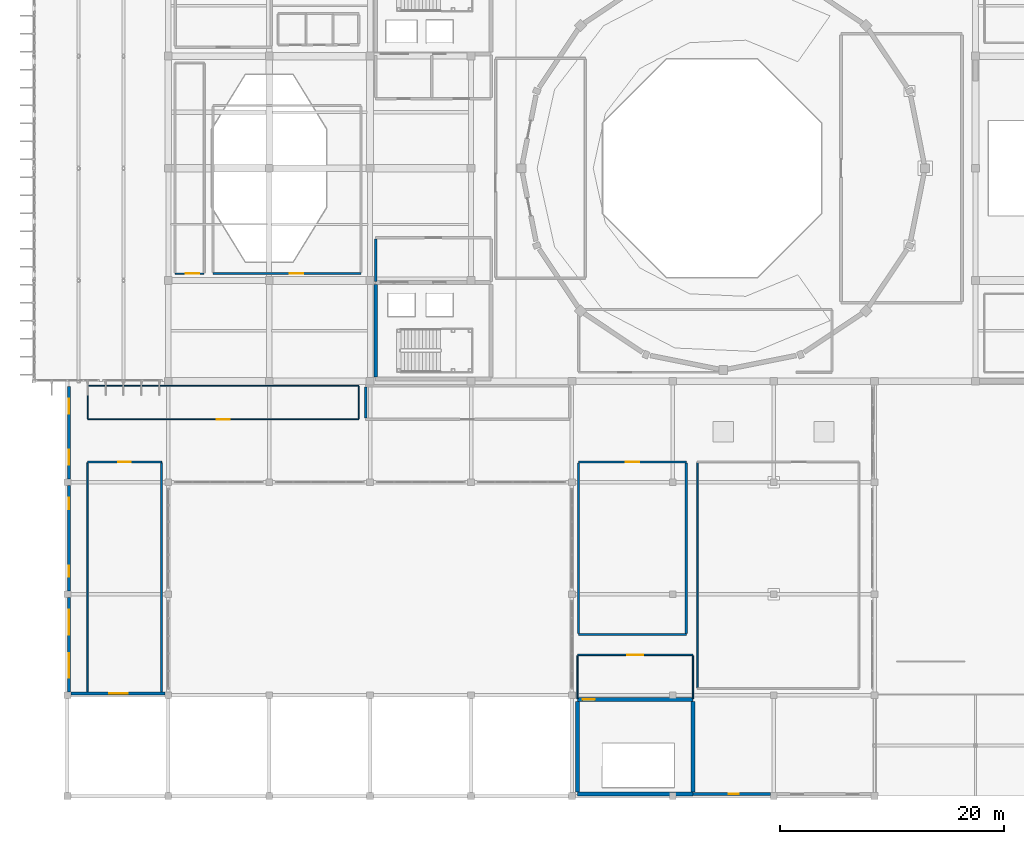
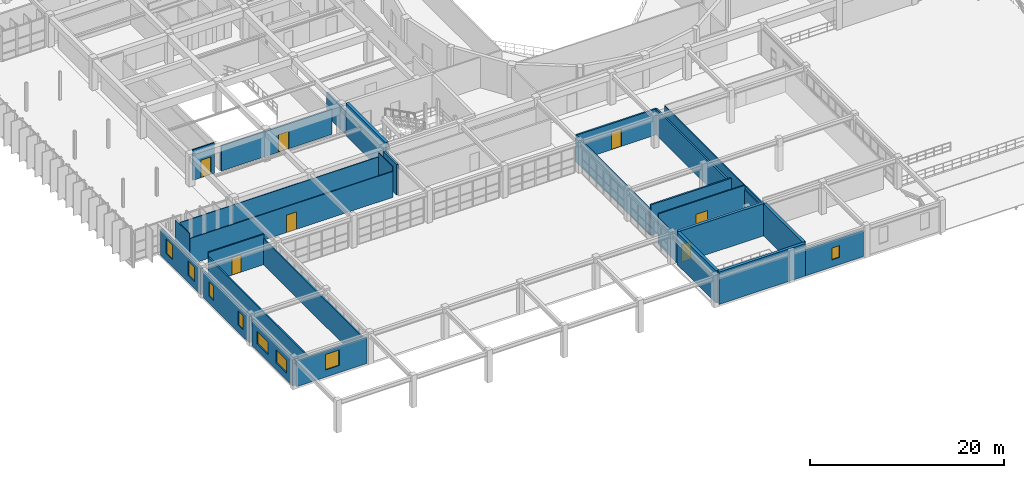
# One storey, part 93 of 110: 29 walls, 8 windows, 7 doors, 15 openings.
"""IFC4 building model written with IfcOpenShell, lengths in metres."""

from ifc_helpers import new_model, si_unit, direction, frame, frame_2d, origin, place, context, subcontext, project, spatial, rectangle, extrude, material, layer, layer_set, type_object, element, fill, save


model = new_model("IFC4")

# Units and contexts
model_context = context("Model", 3, precision=1e-05, world=origin(), true_north=direction((0.0, 1.0)))
body_context = subcontext(model_context, "Body", "Model", "MODEL_VIEW")
ifc_project = project(units=[si_unit("LENGTHUNIT", "METRE"), si_unit("AREAUNIT", "SQUARE_METRE"), si_unit("VOLUMEUNIT", "CUBIC_METRE"), si_unit("PLANEANGLEUNIT", "RADIAN"), si_unit("MASSUNIT", "GRAM", prefix="KILO")], contexts=[model_context])

# Site, building, storey
site_placement = place(None, origin())
site = spatial("IfcSite", under=ifc_project, at=site_placement, CompositionType="ELEMENT")
building_placement = place(site_placement, origin())
building = spatial("IfcBuilding", under=site, at=building_placement, Name="Miravela Opera House", CompositionType="ELEMENT")
storey_placement = place(building_placement, frame((0.0, 0.0, 13.60009765625)))
storey = spatial("IfcBuildingStorey", under=building, at=storey_placement, Name="L03", CompositionType="ELEMENT", Elevation=13.60009765625)

# Wall, opening, window
ifc_material_1 = material(Name="Insulated cream lime-stuccoed masonry", Category="masonry")
ifc_layer_1 = layer(ifc_material_1, 0.2900390625)
ifc_layer_set_1 = layer_set([ifc_layer_1])
wall_type_1 = type_object("IfcWallType", Name="ARC-EW-STUCCO-290", PredefinedType="STANDARD", material=ifc_layer_set_1)
wall_1_placement = place(storey_placement, frame((18.300048828125, 9.14990234375, 0.0), z_axis=(0.0, 0.0, 1.0), x_axis=(1.0, 0.0, 0.0)))
wall_1 = element("IfcWall", 1, at=wall_1_placement, inside=storey, type_object=wall_type_1, Name="Spanish Colonial Stucco Facade Wall L03-030", PredefinedType="STANDARD", context=body_context, shape_type="SweptSolid", body=[
    extrude(rectangle(XDim=8.39990234375, YDim=0.2900390625, at=frame_2d((4.199951171875, 0.0))), origin(), (0.0, 0.0, 1.0), 3.27685546875),
])
opening_1_placement = place(wall_1_placement, frame((3.449951171875, 0.0, 0.89990234375)))
opening_1 = element("IfcOpeningElement", 2, at=opening_1_placement, cuts=wall_1, Name="Opening W-17", PredefinedType="OPENING", context=body_context, shape_type="SweptSolid", body=[
    extrude(rectangle(XDim=1.64990234375, YDim=1.949951171875, at=frame_2d((0.824951171875, 0.97509765625))), frame((0.0, 0.155029296875, 0.0), z_axis=(0.0, -1.0, 0.0), x_axis=(1.0, 0.0, 0.0)), (0.0, 0.0, 1.0), 0.31005859375),
])
ifc_material_2 = material(Name="Bronze-anodised aluminium and acoustic low-E glass", Category="aluminium")
window_type_1 = type_object("IfcWindowType", Name="ARC-WIN-17", PartitioningType="DOUBLE_PANEL_VERTICAL", PredefinedType="WINDOW", material=ifc_material_2)
window_1_placement = place(opening_1_placement, origin())
window_1 = element("IfcWindow", 3, at=window_1_placement, inside=storey, type_object=window_type_1, Name="Window W-17 #083", OverallHeight=1.949951171875, OverallWidth=1.64990234375, PartitioningType="DOUBLE_PANEL_VERTICAL", PredefinedType="WINDOW", context=body_context, shape_type="SweptSolid", body=[
    extrude(rectangle(XDim=1.64990234375, YDim=1.949951171875, at=frame_2d((0.824951171875, 0.97509765625))), frame((0.0, 0.030029296875, 0.0), z_axis=(0.0, -1.0, 0.0), x_axis=(1.0, 0.0, 0.0)), (0.0, 0.0, 1.0), 0.06005859375),
])
fill(opening_1, window_1)

wall_2_placement = place(storey_placement, frame((73.800048828125, 0.179931640625, 0.0), z_axis=(0.0, 0.0, 1.0), x_axis=(1.0, 0.0, 0.0)))
wall_2 = element("IfcWall", 4, at=wall_2_placement, inside=storey, type_object=wall_type_1, Name="Spanish Colonial Stucco Facade Wall L03-031", PredefinedType="STANDARD", context=body_context, shape_type="SweptSolid", body=[
    extrude(rectangle(XDim=6.89990234375, YDim=0.2900390625, at=frame_2d((3.449951171875, 0.0))), origin(), (0.0, 0.0, 1.0), 3.27685546875),
])
opening_2_placement = place(wall_2_placement, frame((3.175048828125, 0.0, 0.89990234375)))
opening_2 = element("IfcOpeningElement", 5, at=opening_2_placement, cuts=wall_2, Name="Opening W-21", PredefinedType="OPENING", context=body_context, shape_type="SweptSolid", body=[
    extrude(rectangle(XDim=0.89990234375, YDim=1.5, at=frame_2d((0.449951171875, 0.75))), frame((0.0, 0.155029296875, 0.0), z_axis=(0.0, -1.0, 0.0), x_axis=(1.0, 0.0, 0.0)), (0.0, 0.0, 1.0), 0.31005859375),
])
window_type_2 = type_object("IfcWindowType", Name="ARC-WIN-21", PartitioningType="SINGLE_PANEL", PredefinedType="WINDOW", material=ifc_material_2)
window_2_placement = place(opening_2_placement, origin())
window_2 = element("IfcWindow", 6, at=window_2_placement, inside=storey, type_object=window_type_2, Name="Window W-21 #084", OverallHeight=1.5, OverallWidth=0.89990234375, PartitioningType="SINGLE_PANEL", PredefinedType="WINDOW", context=body_context, shape_type="SweptSolid", body=[
    extrude(rectangle(XDim=0.89990234375, YDim=1.5, at=frame_2d((0.449951171875, 0.75))), frame((0.0, 0.030029296875, 0.0), z_axis=(0.0, -1.0, 0.0), x_axis=(1.0, 0.0, 0.0)), (0.0, 0.0, 1.0), 0.06005859375),
])
fill(opening_2, window_2)

# Wall, openings, windows
wall_3_placement = place(storey_placement, frame((18.14990234375, 9.300048828125, 0.0), z_axis=(0.0, 0.0, 1.0), x_axis=(0.0, 1.0, 0.0)))
wall_3 = element("IfcWall", 7, at=wall_3_placement, inside=storey, type_object=wall_type_1, Name="Spanish Colonial Stucco Facade Wall L03-043", PredefinedType="STANDARD", context=body_context, shape_type="SweptSolid", body=[
    extrude(rectangle(XDim=8.39990234375, YDim=0.2900390625, at=frame_2d((4.199951171875, 0.0))), origin(), (0.0, 0.0, 1.0), 3.27685546875),
])
opening_3_placement = place(wall_3_placement, frame((1.25, 0.0, 0.89990234375)))
opening_3 = element("IfcOpeningElement", 8, at=opening_3_placement, cuts=wall_3, Name="Opening W-14", PredefinedType="OPENING", context=body_context, shape_type="SweptSolid", body=[
    extrude(rectangle(XDim=2.199951171875, YDim=1.60009765625, at=frame_2d((1.10009765625, 0.800048828125))), frame((0.0, 0.155029296875, 0.0), z_axis=(0.0, -1.0, 0.0), x_axis=(1.0, 0.0, 0.0)), (0.0, 0.0, 1.0), 0.31005859375),
])
opening_4_placement = place(wall_3_placement, frame((5.10009765625, 0.0, 0.89990234375)))
opening_4 = element("IfcOpeningElement", 9, at=opening_4_placement, cuts=wall_3, Name="Opening W-14", PredefinedType="OPENING", context=body_context, shape_type="SweptSolid", body=[
    extrude(rectangle(XDim=2.199951171875, YDim=1.60009765625, at=frame_2d((1.10009765625, 0.800048828125))), frame((0.0, 0.155029296875, 0.0), z_axis=(0.0, -1.0, 0.0), x_axis=(1.0, 0.0, 0.0)), (0.0, 0.0, 1.0), 0.31005859375),
])
window_type_3 = type_object("IfcWindowType", Name="ARC-WIN-14", PartitioningType="DOUBLE_PANEL_VERTICAL", PredefinedType="WINDOW", material=ifc_material_2)
window_3_placement = place(opening_3_placement, origin())
window_3 = element("IfcWindow", 10, at=window_3_placement, inside=storey, type_object=window_type_3, Name="Window W-14 #106", OverallHeight=1.60009765625, OverallWidth=2.199951171875, PartitioningType="DOUBLE_PANEL_VERTICAL", PredefinedType="WINDOW", context=body_context, shape_type="SweptSolid", body=[
    extrude(rectangle(XDim=2.199951171875, YDim=1.60009765625, at=frame_2d((1.10009765625, 0.800048828125))), frame((0.0, 0.030029296875, 0.0), z_axis=(0.0, -1.0, 0.0), x_axis=(1.0, 0.0, 0.0)), (0.0, 0.0, 1.0), 0.06005859375),
])
fill(opening_3, window_3)
window_4_placement = place(opening_4_placement, origin())
window_4 = element("IfcWindow", 11, at=window_4_placement, inside=storey, type_object=window_type_3, Name="Window W-14 #107", OverallHeight=1.60009765625, OverallWidth=2.199951171875, PartitioningType="DOUBLE_PANEL_VERTICAL", PredefinedType="WINDOW", context=body_context, shape_type="SweptSolid", body=[
    extrude(rectangle(XDim=2.199951171875, YDim=1.60009765625, at=frame_2d((1.10009765625, 0.800048828125))), frame((0.0, 0.030029296875, 0.0), z_axis=(0.0, -1.0, 0.0), x_axis=(1.0, 0.0, 0.0)), (0.0, 0.0, 1.0), 0.06005859375),
])
fill(opening_4, window_4)

wall_4_placement = place(storey_placement, frame((18.14990234375, 18.300048828125, 0.0), z_axis=(0.0, 0.0, 1.0), x_axis=(0.0, 1.0, 0.0)))
wall_4 = element("IfcWall", 12, at=wall_4_placement, inside=storey, type_object=wall_type_1, Name="Spanish Colonial Stucco Facade Wall L03-044", PredefinedType="STANDARD", context=body_context, shape_type="SweptSolid", body=[
    extrude(rectangle(XDim=9.39990234375, YDim=0.2900390625, at=frame_2d((4.699951171875, 0.0))), origin(), (0.0, 0.0, 1.0), 3.27685546875),
])
opening_5_placement = place(wall_4_placement, frame((1.25, 0.0, 0.89990234375)))
opening_5 = element("IfcOpeningElement", 13, at=opening_5_placement, cuts=wall_4, Name="Opening W-15", PredefinedType="OPENING", context=body_context, shape_type="SweptSolid", body=[
    extrude(rectangle(XDim=1.0, YDim=1.800048828125, at=frame_2d((0.5, 0.89990234375))), frame((0.0, 0.155029296875, 0.0), z_axis=(0.0, -1.0, 0.0), x_axis=(1.0, 0.0, 0.0)), (0.0, 0.0, 1.0), 0.31005859375),
])
opening_6_placement = place(wall_4_placement, frame((7.300048828125, 0.0, 0.89990234375)))
opening_6 = element("IfcOpeningElement", 14, at=opening_6_placement, cuts=wall_4, Name="Opening W-15", PredefinedType="OPENING", context=body_context, shape_type="SweptSolid", body=[
    extrude(rectangle(XDim=1.0, YDim=1.800048828125, at=frame_2d((0.5, 0.89990234375))), frame((0.0, 0.155029296875, 0.0), z_axis=(0.0, -1.0, 0.0), x_axis=(1.0, 0.0, 0.0)), (0.0, 0.0, 1.0), 0.31005859375),
])
window_type_4 = type_object("IfcWindowType", Name="ARC-WIN-15", PartitioningType="SINGLE_PANEL", PredefinedType="WINDOW", material=ifc_material_2)
window_5_placement = place(opening_5_placement, origin())
window_5 = element("IfcWindow", 15, at=window_5_placement, inside=storey, type_object=window_type_4, Name="Window W-15 #108", OverallHeight=1.800048828125, OverallWidth=1.0, PartitioningType="SINGLE_PANEL", PredefinedType="WINDOW", context=body_context, shape_type="SweptSolid", body=[
    extrude(rectangle(XDim=1.0, YDim=1.800048828125, at=frame_2d((0.5, 0.89990234375))), frame((0.0, 0.030029296875, 0.0), z_axis=(0.0, -1.0, 0.0), x_axis=(1.0, 0.0, 0.0)), (0.0, 0.0, 1.0), 0.06005859375),
])
fill(opening_5, window_5)
window_6_placement = place(opening_6_placement, origin())
window_6 = element("IfcWindow", 16, at=window_6_placement, inside=storey, type_object=window_type_4, Name="Window W-15 #109", OverallHeight=1.800048828125, OverallWidth=1.0, PartitioningType="SINGLE_PANEL", PredefinedType="WINDOW", context=body_context, shape_type="SweptSolid", body=[
    extrude(rectangle(XDim=1.0, YDim=1.800048828125, at=frame_2d((0.5, 0.89990234375))), frame((0.0, 0.030029296875, 0.0), z_axis=(0.0, -1.0, 0.0), x_axis=(1.0, 0.0, 0.0)), (0.0, 0.0, 1.0), 0.06005859375),
])
fill(opening_6, window_6)

wall_5_placement = place(storey_placement, frame((18.14990234375, 28.300048828125, 0.0), z_axis=(0.0, 0.0, 1.0), x_axis=(0.0, 1.0, 0.0)))
wall_5 = element("IfcWall", 17, at=wall_5_placement, inside=storey, type_object=wall_type_1, Name="Spanish Colonial Stucco Facade Wall L03-045", PredefinedType="STANDARD", context=body_context, shape_type="SweptSolid", body=[
    extrude(rectangle(XDim=8.25, YDim=0.2900390625, at=frame_2d((4.125, 0.0))), origin(), (0.0, 0.0, 1.0), 3.27685546875),
])
opening_7_placement = place(wall_5_placement, frame((1.25, 0.0, 0.89990234375)))
opening_7 = element("IfcOpeningElement", 18, at=opening_7_placement, cuts=wall_5, Name="Opening W-16", PredefinedType="OPENING", context=body_context, shape_type="SweptSolid", body=[
    extrude(rectangle(XDim=1.35009765625, YDim=1.85009765625, at=frame_2d((0.675048828125, 0.925048828125))), frame((0.0, 0.155029296875, 0.0), z_axis=(0.0, -1.0, 0.0), x_axis=(1.0, 0.0, 0.0)), (0.0, 0.0, 1.0), 0.31005859375),
])
opening_8_placement = place(wall_5_placement, frame((5.800048828125, 0.0, 0.89990234375)))
opening_8 = element("IfcOpeningElement", 19, at=opening_8_placement, cuts=wall_5, Name="Opening W-16", PredefinedType="OPENING", context=body_context, shape_type="SweptSolid", body=[
    extrude(rectangle(XDim=1.35009765625, YDim=1.85009765625, at=frame_2d((0.675048828125, 0.925048828125))), frame((0.0, 0.155029296875, 0.0), z_axis=(0.0, -1.0, 0.0), x_axis=(1.0, 0.0, 0.0)), (0.0, 0.0, 1.0), 0.31005859375),
])
window_type_5 = type_object("IfcWindowType", Name="ARC-WIN-16", PartitioningType="SINGLE_PANEL", PredefinedType="WINDOW", material=ifc_material_2)
window_7_placement = place(opening_7_placement, origin())
window_7 = element("IfcWindow", 20, at=window_7_placement, inside=storey, type_object=window_type_5, Name="Window W-16 #110", OverallHeight=1.85009765625, OverallWidth=1.35009765625, PartitioningType="SINGLE_PANEL", PredefinedType="WINDOW", context=body_context, shape_type="SweptSolid", body=[
    extrude(rectangle(XDim=1.35009765625, YDim=1.85009765625, at=frame_2d((0.675048828125, 0.925048828125))), frame((0.0, 0.030029296875, 0.0), z_axis=(0.0, -1.0, 0.0), x_axis=(1.0, 0.0, 0.0)), (0.0, 0.0, 1.0), 0.06005859375),
])
fill(opening_7, window_7)
window_8_placement = place(opening_8_placement, origin())
window_8 = element("IfcWindow", 21, at=window_8_placement, inside=storey, type_object=window_type_5, Name="Window W-16 #111", OverallHeight=1.85009765625, OverallWidth=1.35009765625, PartitioningType="SINGLE_PANEL", PredefinedType="WINDOW", context=body_context, shape_type="SweptSolid", body=[
    extrude(rectangle(XDim=1.35009765625, YDim=1.85009765625, at=frame_2d((0.675048828125, 0.925048828125))), frame((0.0, 0.030029296875, 0.0), z_axis=(0.0, -1.0, 0.0), x_axis=(1.0, 0.0, 0.0)), (0.0, 0.0, 1.0), 0.06005859375),
])
fill(opening_8, window_8)

# Wall, opening, door
ifc_material_3 = material(Name="Acoustic metal-stud gypsum partition")
ifc_layer_2 = layer(ifc_material_3, 0.090087890625)
ifc_layer_set_2 = layer_set([ifc_layer_2])
wall_type_2 = type_object("IfcWallType", Name="ARC-PT-090", PredefinedType="PARTITIONING", material=ifc_layer_set_2)
wall_6_placement = place(storey_placement, frame((19.800048828125, 33.60009765625, 0.0), z_axis=(0.0, 0.0, 1.0), x_axis=(1.0, 0.0, 0.0)))
wall_6 = element("IfcWall", 22, at=wall_6_placement, inside=storey, type_object=wall_type_2, Name="Production Stage Management Office Partition South", PredefinedType="PARTITIONING", context=body_context, shape_type="SweptSolid", body=[
    extrude(rectangle(XDim=24.199951171875, YDim=0.090087890625, at=frame_2d((12.10009765625, 0.0))), origin(), (0.0, 0.0, 1.0), 3.27685546875),
])
opening_9_placement = place(wall_6_placement, frame((11.5, 0.0, 0.0)))
opening_9 = element("IfcOpeningElement", 23, at=opening_9_placement, cuts=wall_6, Name="Opening ID-04", PredefinedType="OPENING", context=body_context, shape_type="SweptSolid", body=[
    extrude(rectangle(XDim=1.199951171875, YDim=2.199951171875, at=frame_2d((0.60009765625, 1.10009765625))), frame((0.0, 0.054931640625, 0.0), z_axis=(0.0, -1.0, 0.0), x_axis=(1.0, 0.0, 0.0)), (0.0, 0.0, 1.0), 0.110107421875),
])
ifc_material_4 = material(Name="Wide acoustic ensemble door")
door_type_1 = type_object("IfcDoorType", Name="ARC-DR-1200X2200", OperationType="NOTDEFINED", PredefinedType="DOOR", material=ifc_material_4)
door_1_placement = place(opening_9_placement, frame((1.199951171875, 0.0, 0.0), z_axis=(0.0, 0.0, 1.0), x_axis=(-1.0, 0.0, 0.0)))
door_1 = element("IfcDoor", 24, at=door_1_placement, inside=storey, type_object=door_type_1, Name="Production Stage Management Office Entry Door IDR-L03-0285", OperationType="SINGLE_SWING_LEFT", OverallHeight=2.199951171875, OverallWidth=1.199951171875, PredefinedType="DOOR", context=body_context, shape_type="SweptSolid", body=[
    extrude(rectangle(XDim=1.199951171875, YDim=2.199951171875, at=frame_2d((0.60009765625, 1.10009765625))), frame((0.0, 0.02490234375, 0.0), z_axis=(0.0, -1.0, 0.0), x_axis=(1.0, 0.0, 0.0)), (0.0, 0.0, 1.0), 0.050048828125),
])
fill(opening_9, door_1)

# Walls
wall_7_placement = place(storey_placement, frame((19.800048828125, 36.60009765625, 0.0), z_axis=(0.0, 0.0, 1.0), x_axis=(1.0, 0.0, 0.0)))
element("IfcWall", 25, at=wall_7_placement, inside=storey, type_object=wall_type_2, Name="Production Stage Management Office Partition North", PredefinedType="PARTITIONING", context=body_context, shape_type="SweptSolid", body=[
    extrude(rectangle(XDim=24.199951171875, YDim=0.090087890625, at=frame_2d((12.10009765625, 0.0))), origin(), (0.0, 0.0, 1.0), 3.27685546875),
])
for number, where, z_axis, x_axis, name in (
    (26, (19.800048828125, 33.64501953125, 0.0), (0.0, 0.0, 1.0), (0.0, 1.0, 0.0), "Production Stage Management Office Partition West"),
    (27, (44.0, 33.64501953125, 0.0), (0.0, 0.0, 1.0), (0.0, 1.0, 0.0), "Production Stage Management Office Partition East"),
):
    element("IfcWall", number, at=place(storey_placement, frame(where, z_axis=z_axis, x_axis=x_axis)), inside=storey, type_object=wall_type_2, Name=name, PredefinedType="PARTITIONING", context=body_context, shape_type="SweptSolid", body=[
        extrude(rectangle(XDim=2.909912109375, YDim=0.090087890625, at=frame_2d((1.455078125, 0.0))), origin(), (0.0, 0.0, 1.0), 3.83984375),
    ])

# Wall, opening, door
ifc_material_5 = material(Name="Fire-rated acoustic gypsum partition")
ifc_layer_3 = layer(ifc_material_5, 0.1298828125)
ifc_layer_set_3 = layer_set([ifc_layer_3])
wall_type_3 = type_object("IfcWallType", Name="ARC-PT-130", PredefinedType="PARTITIONING", material=ifc_layer_set_3)
wall_8_placement = place(storey_placement, frame((63.5, 12.60009765625, 0.0), z_axis=(0.0, 0.0, 1.0), x_axis=(1.0, 0.0, 0.0)))
wall_8 = element("IfcWall", 28, at=wall_8_placement, inside=storey, type_object=wall_type_3, Name="Passenger Lift Lobby K6 L03 Partition North", PredefinedType="PARTITIONING", context=body_context, shape_type="SweptSolid", body=[
    extrude(rectangle(XDim=10.300048828125, YDim=0.1298828125, at=frame_2d((5.14990234375, 0.0))), origin(), (0.0, 0.0, 1.0), 3.83984375),
])
opening_10_placement = place(wall_8_placement, frame((4.449951171875, 0.0, 0.0)))
opening_10 = element("IfcOpeningElement", 29, at=opening_10_placement, cuts=wall_8, Name="Opening FD-03", PredefinedType="OPENING", context=body_context, shape_type="SweptSolid", body=[
    extrude(rectangle(XDim=1.39990234375, YDim=2.199951171875, at=frame_2d((0.699951171875, 1.10009765625))), frame((0.0, 0.074951171875, 0.0), z_axis=(0.0, -1.0, 0.0), x_axis=(1.0, 0.0, 0.0)), (0.0, 0.0, 1.0), 0.14990234375),
])
ifc_material_6 = material(Name="Fire-rated lobby/archive double door")
door_type_2 = type_object("IfcDoorType", Name="ARC-FD-1400X2200", OperationType="NOTDEFINED", PredefinedType="DOOR", material=ifc_material_6)
door_2_placement = place(opening_10_placement, origin())
door_2 = element("IfcDoor", 30, at=door_2_placement, inside=storey, type_object=door_type_2, Name="Passenger Lift Lobby K6 L03 Entry Door IDR-L03-0267", OperationType="DOUBLE_DOOR_SINGLE_SWING", OverallHeight=2.199951171875, OverallWidth=1.39990234375, PredefinedType="DOOR", context=body_context, shape_type="SweptSolid", body=[
    extrude(rectangle(XDim=1.39990234375, YDim=2.199951171875, at=frame_2d((0.699951171875, 1.10009765625))), frame((0.0, 0.02490234375, 0.0), z_axis=(0.0, -1.0, 0.0), x_axis=(1.0, 0.0, 0.0)), (0.0, 0.0, 1.0), 0.050048828125),
])
fill(opening_10, door_2)

# Walls
for number, where, z_axis, x_axis, name in (
    (31, (63.5, 8.6650390625, 0.0), (0.0, 0.0, 1.0), (0.0, 1.0, 0.0), "Passenger Lift Lobby K6 L03 Partition West"),
    (32, (73.800048828125, 8.6650390625, 0.0), (0.0, 0.0, 1.0), (0.0, 1.0, 0.0), "Passenger Lift Lobby K6 L03 Partition East"),
):
    element("IfcWall", number, at=place(storey_placement, frame(where, z_axis=z_axis, x_axis=x_axis)), inside=storey, type_object=wall_type_3, Name=name, PredefinedType="PARTITIONING", context=body_context, shape_type="SweptSolid", body=[
        extrude(rectangle(XDim=3.869873046875, YDim=0.1298828125, at=frame_2d((1.93505859375, 0.0))), origin(), (0.0, 0.0, 1.0), 3.27685546875),
    ])
wall_9_placement = place(storey_placement, frame((74.199951171875, 9.6650390625, 0.0), z_axis=(0.0, 0.0, 1.0), x_axis=(0.0, 1.0, 0.0)))
element("IfcWall", 33, at=wall_9_placement, inside=storey, type_object=wall_type_3, Name="Artistic Directorate and Production Offices Partition West", PredefinedType="PARTITIONING", context=body_context, shape_type="SweptSolid", body=[
    extrude(rectangle(XDim=20.070068359375, YDim=0.1298828125, at=frame_2d((10.03515625, 0.0))), origin(), (0.0, 0.0, 1.0), 3.27685546875),
])

# Wall, opening, door
ifc_material_7 = material(Name="Studio double-stud acoustic partition")
ifc_layer_4 = layer(ifc_material_7, 0.14990234375)
ifc_layer_set_4 = layer_set([ifc_layer_4])
wall_type_4 = type_object("IfcWallType", Name="ARC-PT-145", PredefinedType="PARTITIONING", material=ifc_layer_set_4)
wall_10_placement = place(storey_placement, frame((19.800048828125, 29.800048828125, 0.0), z_axis=(0.0, 0.0, 1.0), x_axis=(1.0, 0.0, 0.0)))
wall_10 = element("IfcWall", 34, at=wall_10_placement, inside=storey, type_object=wall_type_4, Name="Physiotherapy and Dancer Conditioning Suite Partition North", PredefinedType="PARTITIONING", context=body_context, shape_type="SweptSolid", body=[
    extrude(rectangle(XDim=6.599853515625, YDim=0.14990234375, at=frame_2d((3.2998046875, 0.0))), origin(), (0.0, 0.0, 1.0), 3.83984375),
])
opening_11_placement = place(wall_10_placement, frame((2.75, 0.0, 0.0)))
opening_11 = element("IfcOpeningElement", 35, at=opening_11_placement, cuts=wall_10, Name="Opening ID-03", PredefinedType="OPENING", context=body_context, shape_type="SweptSolid", body=[
    extrude(rectangle(XDim=1.10009765625, YDim=2.199951171875, at=frame_2d((0.550048828125, 1.10009765625))), frame((0.0, 0.0849609375, 0.0), z_axis=(0.0, -1.0, 0.0), x_axis=(1.0, 0.0, 0.0)), (0.0, 0.0, 1.0), 0.169921875),
])
ifc_material_8 = material(Name="Acoustic hardwood studio door", Category="wood")
door_type_3 = type_object("IfcDoorType", Name="ARC-DR-1100X2200", OperationType="NOTDEFINED", PredefinedType="DOOR", material=ifc_material_8)
door_3_placement = place(opening_11_placement, origin())
door_3 = element("IfcDoor", 36, at=door_3_placement, inside=storey, type_object=door_type_3, Name="Physiotherapy and Dancer Conditioning Suite Entry Door IDR-L03-0279", OperationType="SINGLE_SWING_LEFT", OverallHeight=2.199951171875, OverallWidth=1.10009765625, PredefinedType="DOOR", context=body_context, shape_type="SweptSolid", body=[
    extrude(rectangle(XDim=1.10009765625, YDim=2.199951171875, at=frame_2d((0.550048828125, 1.10009765625))), frame((0.0, 0.02490234375, 0.0), z_axis=(0.0, -1.0, 0.0), x_axis=(1.0, 0.0, 0.0)), (0.0, 0.0, 1.0), 0.050048828125),
])
fill(opening_11, door_3)

# Walls
for number, where, z_axis, x_axis, name in (
    (37, (19.800048828125, 9.2548828125, 0.0), (0.0, 0.0, 1.0), (0.0, 1.0, 0.0), "Physiotherapy and Dancer Conditioning Suite Partition West"),
    (38, (26.39990234375, 9.2548828125, 0.0), (0.0, 0.0, 1.0), (0.0, 1.0, 0.0), "Physiotherapy and Dancer Conditioning Suite Partition East"),
):
    element("IfcWall", number, at=place(storey_placement, frame(where, z_axis=z_axis, x_axis=x_axis)), inside=storey, type_object=wall_type_4, Name=name, PredefinedType="PARTITIONING", context=body_context, shape_type="SweptSolid", body=[
        extrude(rectangle(XDim=20.47021484375, YDim=0.14990234375, at=frame_2d((10.235107421875, 0.0))), origin(), (0.0, 0.0, 1.0), 3.27685546875),
    ])

# Wall, opening, door
wall_11_placement = place(storey_placement, frame((27.60009765625, 46.60009765625, 0.0), z_axis=(0.0, 0.0, 1.0), x_axis=(1.0, 0.0, 0.0)))
wall_11 = element("IfcWall", 39, at=wall_11_placement, inside=storey, type_object=wall_type_4, Name="Opera Chorus Vocal Practice Hall Partition South", PredefinedType="PARTITIONING", context=body_context, shape_type="SweptSolid", body=[
    extrude(rectangle(XDim=2.599853515625, YDim=0.14990234375, at=frame_2d((1.2998046875, 0.0))), origin(), (0.0, 0.0, 1.0), 3.83984375),
])
opening_12_placement = place(wall_11_placement, frame((0.966064453125, 0.0, 0.0)))
opening_12 = element("IfcOpeningElement", 40, at=opening_12_placement, cuts=wall_11, Name="Opening ID-04", PredefinedType="OPENING", context=body_context, shape_type="SweptSolid", body=[
    extrude(rectangle(XDim=1.199951171875, YDim=2.199951171875, at=frame_2d((0.60009765625, 1.10009765625))), frame((0.0, 0.0849609375, 0.0), z_axis=(0.0, -1.0, 0.0), x_axis=(1.0, 0.0, 0.0)), (0.0, 0.0, 1.0), 0.169921875),
])
door_4_placement = place(opening_12_placement, origin())
door_4 = element("IfcDoor", 41, at=door_4_placement, inside=storey, type_object=door_type_1, Name="Opera Chorus Vocal Practice Hall Entry Door IDR-L03-0289", OperationType="SINGLE_SWING_RIGHT", OverallHeight=2.199951171875, OverallWidth=1.199951171875, PredefinedType="DOOR", context=body_context, shape_type="SweptSolid", body=[
    extrude(rectangle(XDim=1.199951171875, YDim=2.199951171875, at=frame_2d((0.60009765625, 1.10009765625))), frame((0.0, 0.02490234375, 0.0), z_axis=(0.0, -1.0, 0.0), x_axis=(1.0, 0.0, 0.0)), (0.0, 0.0, 1.0), 0.050048828125),
])
fill(opening_12, door_4)

# Wall
ifc_material_9 = material(Name="Corridor fire-resisting masonry partition", Category="masonry")
ifc_layer_5 = layer(ifc_material_9, 0.18994140625)
ifc_layer_set_5 = layer_set([ifc_layer_5])
wall_type_5 = type_object("IfcWallType", Name="ARC-PT-190", PredefinedType="PARTITIONING", material=ifc_layer_set_5)
wall_12_placement = place(storey_placement, frame((63.60009765625, 14.39990234375, 0.0), z_axis=(0.0, 0.0, 1.0), x_axis=(1.0, 0.0, 0.0)))
element("IfcWall", 42, at=wall_12_placement, inside=storey, type_object=wall_type_5, Name="Visiting Conductor Repertoire Studio Partition South", PredefinedType="PARTITIONING", context=body_context, shape_type="SweptSolid", body=[
    extrude(rectangle(XDim=9.599853515625, YDim=0.18994140625, at=frame_2d((4.7998046875, 0.0))), origin(), (0.0, 0.0, 1.0), 3.83984375),
])

# Wall, opening, door
wall_13_placement = place(storey_placement, frame((63.60009765625, 29.800048828125, 0.0), z_axis=(0.0, 0.0, 1.0), x_axis=(1.0, 0.0, 0.0)))
wall_13 = element("IfcWall", 43, at=wall_13_placement, inside=storey, type_object=wall_type_5, Name="Visiting Conductor Repertoire Studio Partition North", PredefinedType="PARTITIONING", context=body_context, shape_type="SweptSolid", body=[
    extrude(rectangle(XDim=9.599853515625, YDim=0.18994140625, at=frame_2d((4.7998046875, 0.0))), origin(), (0.0, 0.0, 1.0), 3.27685546875),
])
opening_13_placement = place(wall_13_placement, frame((4.199951171875, 0.0, 0.0)))
opening_13 = element("IfcOpeningElement", 44, at=opening_13_placement, cuts=wall_13, Name="Opening ID-04", PredefinedType="OPENING", context=body_context, shape_type="SweptSolid", body=[
    extrude(rectangle(XDim=1.199951171875, YDim=2.199951171875, at=frame_2d((0.60009765625, 1.10009765625))), frame((0.0, 0.10498046875, 0.0), z_axis=(0.0, -1.0, 0.0), x_axis=(1.0, 0.0, 0.0)), (0.0, 0.0, 1.0), 0.2099609375),
])
door_5_placement = place(opening_13_placement, origin())
door_5 = element("IfcDoor", 45, at=door_5_placement, inside=storey, type_object=door_type_1, Name="Visiting Conductor Repertoire Studio Entry Door IDR-L03-0291", OperationType="SINGLE_SWING_RIGHT", OverallHeight=2.199951171875, OverallWidth=1.199951171875, PredefinedType="DOOR", context=body_context, shape_type="SweptSolid", body=[
    extrude(rectangle(XDim=1.199951171875, YDim=2.199951171875, at=frame_2d((0.60009765625, 1.10009765625))), frame((0.0, 0.02490234375, 0.0), z_axis=(0.0, -1.0, 0.0), x_axis=(1.0, 0.0, 0.0)), (0.0, 0.0, 1.0), 0.050048828125),
])
fill(opening_13, door_5)

# Walls
for number, where, z_axis, x_axis, name in (
    (46, (63.60009765625, 14.4951171875, 0.0), (0.0, 0.0, 1.0), (0.0, 1.0, 0.0), "Visiting Conductor Repertoire Studio Partition West"),
    (47, (73.199951171875, 14.4951171875, 0.0), (0.0, 0.0, 1.0), (0.0, 1.0, 0.0), "Visiting Conductor Repertoire Studio Partition East"),
):
    element("IfcWall", number, at=place(storey_placement, frame(where, z_axis=z_axis, x_axis=x_axis)), inside=storey, type_object=wall_type_5, Name=name, PredefinedType="PARTITIONING", context=body_context, shape_type="SweptSolid", body=[
        extrude(rectangle(XDim=15.2099609375, YDim=0.18994140625, at=frame_2d((7.60498046875, 0.0))), origin(), (0.0, 0.0, 1.0), 3.27685546875),
    ])

# Wall, opening, door
wall_14_placement = place(storey_placement, frame((31.0, 46.60009765625, 0.0), z_axis=(0.0, 0.0, 1.0), x_axis=(1.0, 0.0, 0.0)))
wall_14 = element("IfcWall", 48, at=wall_14_placement, inside=storey, type_object=wall_type_5, Name="Musicological Research Archive Partition South", PredefinedType="PARTITIONING", context=body_context, shape_type="SweptSolid", body=[
    extrude(rectangle(XDim=13.199951171875, YDim=0.18994140625, at=frame_2d((6.60009765625, 0.0))), origin(), (0.0, 0.0, 1.0), 3.169921875),
])
opening_14_placement = place(wall_14_placement, frame((6.8369140625, 0.0, 0.0)))
opening_14 = element("IfcOpeningElement", 49, at=opening_14_placement, cuts=wall_14, Name="Opening ID-04", PredefinedType="OPENING", context=body_context, shape_type="SweptSolid", body=[
    extrude(rectangle(XDim=1.199951171875, YDim=2.199951171875, at=frame_2d((0.60009765625, 1.10009765625))), frame((0.0, 0.10498046875, 0.0), z_axis=(0.0, -1.0, 0.0), x_axis=(1.0, 0.0, 0.0)), (0.0, 0.0, 1.0), 0.2099609375),
])
door_6_placement = place(opening_14_placement, origin())
door_6 = element("IfcDoor", 50, at=door_6_placement, inside=storey, type_object=door_type_1, Name="Musicological Research Archive Entry Door IDR-L03-0300", OperationType="SINGLE_SWING_LEFT", OverallHeight=2.199951171875, OverallWidth=1.199951171875, PredefinedType="DOOR", context=body_context, shape_type="SweptSolid", body=[
    extrude(rectangle(XDim=1.199951171875, YDim=2.199951171875, at=frame_2d((0.60009765625, 1.10009765625))), frame((0.0, 0.02490234375, 0.0), z_axis=(0.0, -1.0, 0.0), x_axis=(1.0, 0.0, 0.0)), (0.0, 0.0, 1.0), 0.050048828125),
])
fill(opening_14, door_6)

# Walls
ifc_material_10 = material(Name="High-STC auditorium lobby partition")
ifc_layer_6 = layer(ifc_material_10, 0.22998046875)
ifc_layer_set_6 = layer_set([ifc_layer_6])
wall_type_6 = type_object("IfcWallType", Name="ARC-PT-205", PredefinedType="PARTITIONING", material=ifc_layer_set_6)
wall_15_placement = place(storey_placement, frame((45.5, 45.9150390625, 0.0), z_axis=(0.0, 0.0, 1.0), x_axis=(0.0, 1.0, 0.0)))
element("IfcWall", 51, at=wall_15_placement, inside=storey, type_object=wall_type_6, Name="Passenger Lift Lobby K2 L03 Partition West", PredefinedType="PARTITIONING", context=body_context, shape_type="SweptSolid", body=[
    extrude(rectangle(XDim=3.77001953125, YDim=0.22998046875, at=frame_2d((1.885009765625, 0.0))), origin(), (0.0, 0.0, 1.0), 2.969970703125),
])
ifc_material_11 = material(Name="Workshop fire-resisting block partition")
ifc_layer_7 = layer(ifc_material_11, 0.2099609375)
ifc_layer_set_7 = layer_set([ifc_layer_7])
wall_type_7 = type_object("IfcWallType", Name="ARC-PT-210", PredefinedType="PARTITIONING", material=ifc_layer_set_7)
wall_16_placement = place(storey_placement, frame((44.60009765625, 33.705078125, 0.0), z_axis=(0.0, 0.0, 1.0), x_axis=(0.0, 1.0, 0.0)))
element("IfcWall", 52, at=wall_16_placement, inside=storey, type_object=wall_type_7, Name="Costume Conservation Studio Partition West", PredefinedType="PARTITIONING", context=body_context, shape_type="SweptSolid", body=[
    extrude(rectangle(XDim=2.7900390625, YDim=0.2099609375, at=frame_2d((1.39501953125, 0.0))), origin(), (0.0, 0.0, 1.0), 3.83984375),
])
ifc_material_12 = material(Name="Concrete C40/50", Category="concrete")
ifc_layer_8 = layer(ifc_material_12, 0.35009765625)
ifc_layer_set_8 = layer_set([ifc_layer_8])
wall_type_8 = type_object("IfcWallType", Name="STR-WALL-CORE-350", PredefinedType="SHEAR", material=ifc_layer_set_8)
wall_17_placement = place(storey_placement, frame((45.5, 37.375, 0.0), z_axis=(0.0, 0.0, 1.0), x_axis=(0.0, 1.0, 0.0)))
element("IfcWall", 53, at=wall_17_placement, inside=storey, type_object=wall_type_8, Name="Core K2 Shear Wall West (L03)", PredefinedType="SHEAR", context=body_context, shape_type="SweptSolid", body=[
    extrude(rectangle(XDim=8.25, YDim=0.35009765625, at=frame_2d((4.125, 0.0))), origin(), (0.0, 0.0, 1.0), 4.079833984375),
])
wall_18_placement = place(storey_placement, frame((63.5, 0.199951171875, 0.0), z_axis=(0.0, 0.0, 1.0), x_axis=(1.0, 0.0, 0.0)))
element("IfcWall", 54, at=wall_18_placement, inside=storey, type_object=wall_type_8, Name="Core K6 Shear Wall South (L03)", PredefinedType="SHEAR", context=body_context, shape_type="SweptSolid", body=[
    extrude(rectangle(XDim=10.300048828125, YDim=0.35009765625, at=frame_2d((5.14990234375, 0.0))), origin(), (0.0, 0.0, 1.0), 4.079833984375),
])

# Wall, opening, door
wall_19_placement = place(storey_placement, frame((63.5, 8.60009765625, 0.0), z_axis=(0.0, 0.0, 1.0), x_axis=(1.0, 0.0, 0.0)))
wall_19 = element("IfcWall", 55, at=wall_19_placement, inside=storey, type_object=wall_type_8, Name="Core K6 Shear Wall North (L03)", PredefinedType="SHEAR", context=body_context, shape_type="SweptSolid", body=[
    extrude(rectangle(XDim=10.300048828125, YDim=0.35009765625, at=frame_2d((5.14990234375, 0.0))), origin(), (0.0, 0.0, 1.0), 4.079833984375),
])
opening_15_placement = place(wall_19_placement, frame((0.449951171875, 0.0, 0.0)))
opening_15 = element("IfcOpeningElement", 56, at=opening_15_placement, cuts=wall_19, Name="Opening FD-01", PredefinedType="OPENING", context=body_context, shape_type="SweptSolid", body=[
    extrude(rectangle(XDim=1.10009765625, YDim=2.199951171875, at=frame_2d((0.550048828125, 1.10009765625))), frame((0.0, 0.18505859375, 0.0), z_axis=(0.0, -1.0, 0.0), x_axis=(1.0, 0.0, 0.0)), (0.0, 0.0, 1.0), 0.3701171875),
])
ifc_material_13 = material(Name="Fire-rated steel/hardwood exit stair door", Category="steel")
door_type_4 = type_object("IfcDoorType", Name="ARC-FD-1100X2200", OperationType="NOTDEFINED", PredefinedType="DOOR", material=ifc_material_13)
door_7_placement = place(opening_15_placement, frame((1.10009765625, 0.0, 0.0), z_axis=(0.0, 0.0, 1.0), x_axis=(-1.0, 0.0, 0.0)))
door_7 = element("IfcDoor", 57, at=door_7_placement, inside=storey, type_object=door_type_4, Name="Exit Stair ST-06 Rated Door (L03) IDR-L03-0040", OperationType="SINGLE_SWING_RIGHT", OverallHeight=2.199951171875, OverallWidth=1.10009765625, PredefinedType="DOOR", context=body_context, shape_type="SweptSolid", body=[
    extrude(rectangle(XDim=1.10009765625, YDim=2.199951171875, at=frame_2d((0.550048828125, 1.10009765625))), frame((0.0, 0.02490234375, 0.0), z_axis=(0.0, -1.0, 0.0), x_axis=(1.0, 0.0, 0.0)), (0.0, 0.0, 1.0), 0.050048828125),
])
fill(opening_15, door_7)

# Walls
for number, where, z_axis, x_axis, name in (
    (58, (63.5, 0.375, 0.0), (0.0, 0.0, 1.0), (0.0, 1.0, 0.0), "Core K6 Shear Wall West (L03)"),
    (59, (73.800048828125, 0.375, 0.0), (0.0, 0.0, 1.0), (0.0, 1.0, 0.0), "Core K6 Shear Wall East (L03)"),
):
    element("IfcWall", number, at=place(storey_placement, frame(where, z_axis=z_axis, x_axis=x_axis)), inside=storey, type_object=wall_type_8, Name=name, PredefinedType="SHEAR", context=body_context, shape_type="SweptSolid", body=[
        extrude(rectangle(XDim=8.050048828125, YDim=0.35009765625, at=frame_2d((4.02490234375, 0.0))), origin(), (0.0, 0.0, 1.0), 4.079833984375),
    ])

save(model, "model.ifc")
